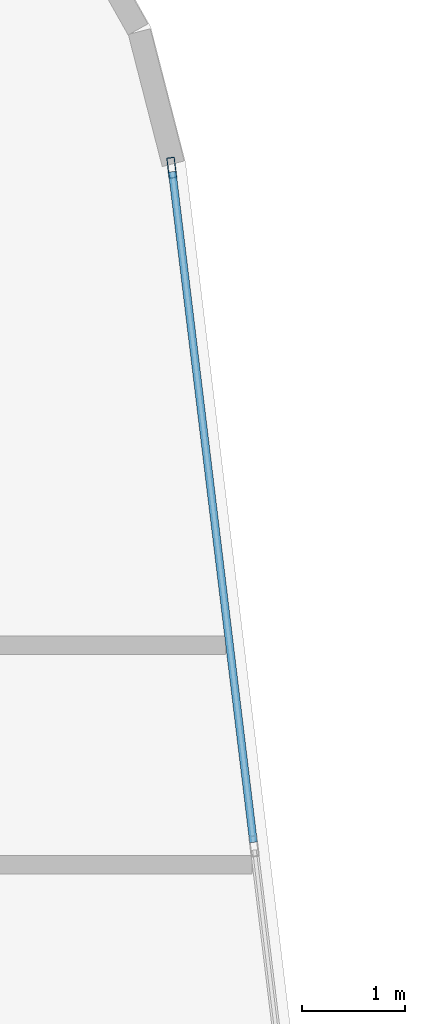
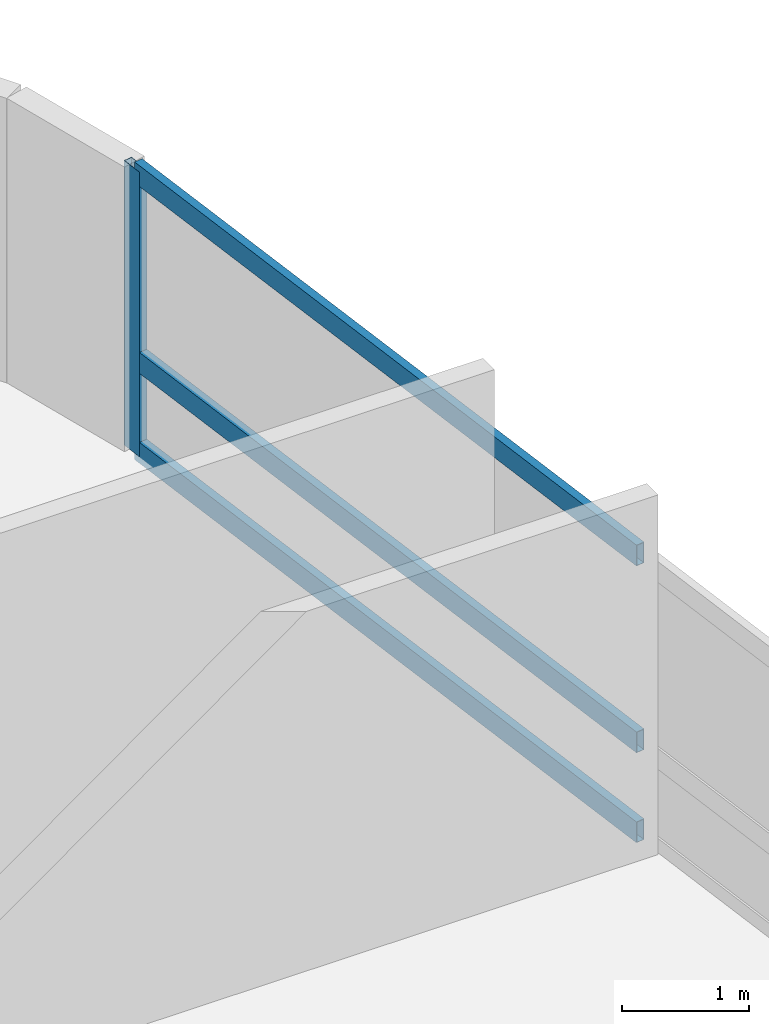
# One storey, part 12 of 22: 4 members, 1 element without a shape of its own.
"""IFC4 building model written with IfcOpenShell, lengths in metres."""

from ifc_helpers import new_model, si_unit, direction, frame, origin, origin_2d, place, context, subcontext, project, spatial, hollow_rectangle, extrude, material, layer, layer_set, material_profile, profile_set, type_object, element, aggregate, save


model = new_model("IFC4")

# Units and contexts
model_context = context("Model", 3, precision=1e-05, world=origin(), true_north=direction((0.0, 1.0)))
body_context = subcontext(model_context, "Body", "Model", "MODEL_VIEW")
ifc_project = project(units=[si_unit("LENGTHUNIT", "METRE"), si_unit("AREAUNIT", "SQUARE_METRE"), si_unit("VOLUMEUNIT", "CUBIC_METRE"), si_unit("PLANEANGLEUNIT", "RADIAN"), si_unit("MASSUNIT", "GRAM", prefix="KILO")], contexts=[model_context])

# Site, building, storey
site_placement = place(None, origin())
site = spatial("IfcSite", under=ifc_project, at=site_placement, CompositionType="ELEMENT")
building_placement = place(site_placement, origin())
building = spatial("IfcBuilding", under=site, at=building_placement, Name="Varnelok Gate Tower", CompositionType="ELEMENT")
storey_placement = place(building_placement, frame((0.0, 0.0, 178.300048828125)))
storey = spatial("IfcBuildingStorey", under=building, at=storey_placement, Name="L45", CompositionType="ELEMENT", Elevation=178.300048828125)

# Curtain wall, members
ifc_material = material(Name="Anodized Aluminum Alloy 6063-T6", Category="aluminium")
ifc_layer = layer(ifc_material, 0.179931640625)
ifc_layer_set = layer_set([ifc_layer], Name="Anodized Aluminum Alloy 6063-T6")
curtain_wall_type = type_object("IfcCurtainWallType", Name="CW4-RESIDENCE-VISION", PredefinedType="USERDEFINED", material=ifc_layer_set)
curtain_wall_placement = place(storey_placement, origin())
curtain_wall = element("IfcCurtainWall", 1, at=curtain_wall_placement, inside=storey, type_object=curtain_wall_type, Name="L45 East End Vision Curtain Wall", ObjectType="UNITISED CURTAIN WALL", PredefinedType="USERDEFINED")
ifc_material_profile_1 = material_profile(ifc_material, hollow_rectangle(XDim=0.074951171875, YDim=0.199951171875, WallThickness=0.00390625, at=origin_2d()), Name="ALU200X75X4")
ifc_profile_set_1 = profile_set([ifc_material_profile_1], Name="Anodized Aluminum Alloy 6063-T6")
member_type_1 = type_object("IfcMemberType", Name="CW-MULL-200", PredefinedType="MULLION", material=ifc_profile_set_1)
member_1_placement = place(storey_placement, frame((72.09912109375, 46.07275390625, 0.0), z_axis=(0.0, 0.0, 1.0), x_axis=(0.992732188751, 0.120344511371, 0.0)))
member_1 = element("IfcMember", 2, at=member_1_placement, type_object=member_type_1, Name="CW4 mullion 1", PredefinedType="MULLION", context=body_context, shape_type="SweptSolid", body=[
    extrude(hollow_rectangle(XDim=0.074951171875, YDim=0.199951171875, WallThickness=0.00390625, at=origin_2d()), origin(), (0.0, 0.0, 1.0), 2.72998046875),
])
ifc_material_profile_2 = material_profile(ifc_material, hollow_rectangle(XDim=0.074951171875, YDim=0.199951171875, WallThickness=0.00390625, at=origin_2d()), Name="ALU200X75X4")
ifc_profile_set_2 = profile_set([ifc_material_profile_2], Name="Anodized Aluminum Alloy 6063-T6")
member_type_2 = type_object("IfcMemberType", Name="CW-TRAN-200", PredefinedType="USERDEFINED", material=ifc_profile_set_2)
member_2_placement = place(storey_placement, frame((72.103759765625, 46.035400390625, 0.037353515625), z_axis=(0.120332477695, -0.992733647466, 0.0), x_axis=(0.992733647466, 0.120332477695, 0.0)))
member_2 = element("IfcMember", 3, at=member_2_placement, type_object=member_type_2, Name="CW4 transom 1.1", ObjectType="TRANSOM", PredefinedType="USERDEFINED", context=body_context, shape_type="SweptSolid", body=[
    extrude(hollow_rectangle(XDim=0.074951171875, YDim=0.199951171875, WallThickness=0.00390625, at=origin_2d()), origin(), (0.0, 0.0, 1.0), 6.5673828125),
])
member_3_placement = place(storey_placement, frame((72.103759765625, 46.035400390625, 0.89990234375), z_axis=(0.120332477695, -0.992733647466, 0.0), x_axis=(0.992733647466, 0.120332477695, 0.0)))
member_3 = element("IfcMember", 4, at=member_3_placement, type_object=member_type_2, Name="CW4 transom 1.2", ObjectType="TRANSOM", PredefinedType="USERDEFINED", context=body_context, shape_type="SweptSolid", body=[
    extrude(hollow_rectangle(XDim=0.074951171875, YDim=0.199951171875, WallThickness=0.00390625, at=origin_2d()), origin(), (0.0, 0.0, 1.0), 6.5673828125),
])
member_4_placement = place(storey_placement, frame((72.103759765625, 46.035400390625, 2.6923828125), z_axis=(0.120332477695, -0.992733647466, 0.0), x_axis=(0.992733647466, 0.120332477695, 0.0)))
member_4 = element("IfcMember", 5, at=member_4_placement, type_object=member_type_2, Name="CW4 transom 1.3", ObjectType="TRANSOM", PredefinedType="USERDEFINED", context=body_context, shape_type="SweptSolid", body=[
    extrude(hollow_rectangle(XDim=0.074951171875, YDim=0.199951171875, WallThickness=0.00390625, at=origin_2d()), origin(), (0.0, 0.0, 1.0), 6.5673828125),
])
aggregate(curtain_wall, [member_1, member_2, member_3, member_4])

save(model, "model.ifc")
